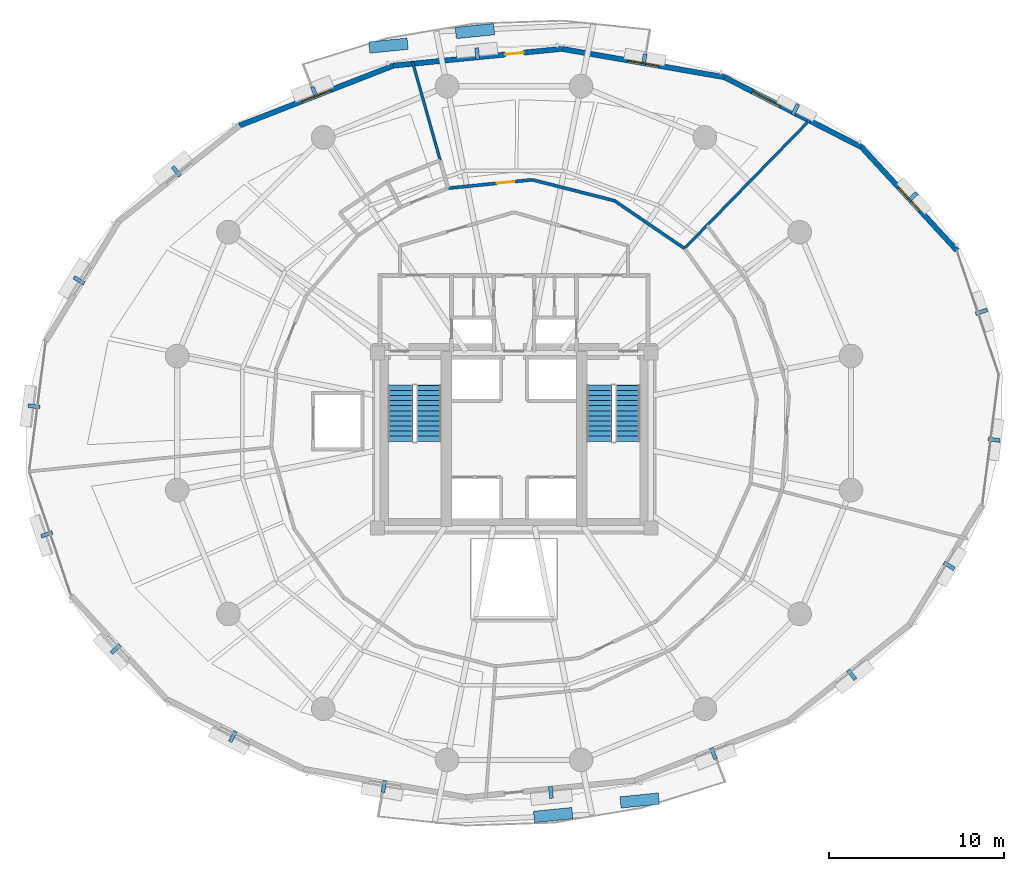
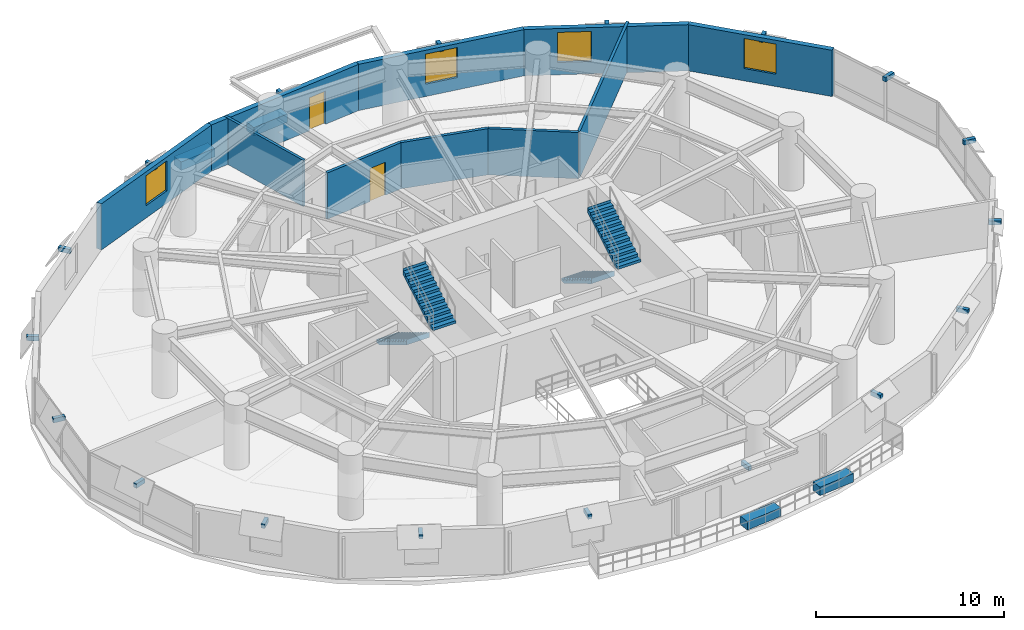
# One storey, part 14 of 17: 22 discrete accessories, 10 walls, 4 stair flights, 4 windows, 2 doors, 6 openings, 2 elements without a shape of their own.
"""IFC4 building model written with IfcOpenShell, lengths in metres."""

from ifc_helpers import new_model, si_unit, direction, frame, frame_2d, origin, origin_2d, place, context, subcontext, project, spatial, polyline, rectangle, outline, extrude, material, layer, layer_set, type_object, element, fill, aggregate, save


model = new_model("IFC4")

# Units and contexts
model_context = context("Model", 3, precision=1e-05, world=origin(), true_north=direction((0.0, 1.0)))
body_context = subcontext(model_context, "Body", "Model", "MODEL_VIEW")
ifc_project = project(units=[si_unit("LENGTHUNIT", "METRE"), si_unit("AREAUNIT", "SQUARE_METRE"), si_unit("VOLUMEUNIT", "CUBIC_METRE"), si_unit("PLANEANGLEUNIT", "RADIAN"), si_unit("MASSUNIT", "GRAM", prefix="KILO"), si_unit("THERMODYNAMICTEMPERATUREUNIT", "KELVIN"), si_unit("POWERUNIT", "WATT")], contexts=[model_context])

# Site, building, storey
site_placement = place(None, origin())
site = spatial("IfcSite", under=ifc_project, at=site_placement, CompositionType="ELEMENT")
building_placement = place(site_placement, origin())
building = spatial("IfcBuilding", under=site, at=building_placement, Name="Ocrelia Relay Tower", CompositionType="ELEMENT")
storey_placement = place(building_placement, frame((0.0, 0.0, 55.199951171875)))
storey = spatial("IfcBuildingStorey", under=building, at=storey_placement, Name="L12", CompositionType="ELEMENT", Elevation=55.199951171875)

# Walls
ifc_material_1 = material(Name="Gypsum Fireboard Partition EI60", Category="gypsum")
ifc_layer_1 = layer(ifc_material_1, 0.179931640625, Name="Gypsum Fireboard Partition EI60")
ifc_layer_set_1 = layer_set([ifc_layer_1], Name="Gypsum Fireboard Partition EI60")
wall_type_1 = type_object("IfcWallType", Name="W-CORR-EI60-180", PredefinedType="PARTITIONING", material=ifc_layer_set_1)
for number, where, z_axis, x_axis, name in (
    (1, (43.721923828125, 35.96240234375, 0.0), (0.0, 0.0, 1.0), (-0.826090560553, 0.563537386307, 0.0), "L12 Optical Calibration Studio Corridor Partition 1"),
    (2, (39.728271484375, 38.686767578125, 0.0), (0.0, 0.0, 1.0), (-0.969015246349, 0.247000915671, 0.0), "L12 Optical Calibration Studio Corridor Partition 2"),
):
    element("IfcWall", number, at=place(storey_placement, frame(where, z_axis=z_axis, x_axis=x_axis)), inside=storey, type_object=wall_type_1, Name=name, PredefinedType="PARTITIONING", context=body_context, shape_type="SweptSolid", body=[
        extrude(rectangle(XDim=4.83447265625, YDim=0.179931640625, at=frame_2d((2.417236328125, 0.0))), origin(), (0.0, 0.0, 1.0), 3.0),
    ])

# Wall, opening, door
wall_1_placement = place(storey_placement, frame((35.043701171875, 39.880859375, 0.0), z_axis=(0.0, 0.0, 1.0), x_axis=(-0.995054175725, -0.099333717197, 0.0)))
wall_1 = element("IfcWall", 3, at=wall_1_placement, inside=storey, type_object=wall_type_1, Name="L12 Optical Calibration Studio Corridor Partition 3", PredefinedType="PARTITIONING", context=body_context, shape_type="SweptSolid", body=[
    extrude(rectangle(XDim=4.83447265625, YDim=0.179931640625, at=frame_2d((2.417236328125, 0.0))), origin(), (0.0, 0.0, 1.0), 3.0),
])
opening_1_placement = place(wall_1_placement, frame((1.03369140625, 0.0, 0.0)))
opening_1 = element("IfcOpeningElement", 4, at=opening_1_placement, cuts=wall_1, Name="Opening D-RM100", PredefinedType="OPENING", context=body_context, shape_type="SweptSolid", body=[
    extrude(rectangle(XDim=1.0, YDim=2.14990234375, at=frame_2d((0.5, 1.074951171875))), frame((0.0, 0.10009765625, 0.0), z_axis=(0.0, -1.0, 0.0), x_axis=(1.0, 0.0, 0.0)), (0.0, 0.0, 1.0), 0.199951171875),
])
ifc_material_2 = material(Name="Acoustic oak veneer fire door", Category="wood")
door_type_1 = type_object("IfcDoorType", Name="DR-ROOM-FD60-1000", OperationType="NOTDEFINED", PredefinedType="DOOR", material=ifc_material_2)
door_1_placement = place(opening_1_placement, origin())
door_1 = element("IfcDoor", 5, at=door_1_placement, inside=storey, type_object=door_type_1, Name="L12 Optical Calibration Studio Entrance Door", OperationType="SINGLE_SWING_LEFT", OverallHeight=2.14990234375, OverallWidth=1.0, PredefinedType="DOOR", context=body_context, shape_type="SweptSolid", body=[
    extrude(rectangle(XDim=1.0, YDim=2.14990234375, at=frame_2d((0.5, 1.074951171875))), frame((0.0, 0.02490234375, 0.0), z_axis=(0.0, -1.0, 0.0), x_axis=(1.0, 0.0, 0.0)), (0.0, 0.0, 1.0), 0.050048828125),
])
fill(opening_1, door_1)

# Wall, opening, window
ifc_material_3 = material(Name="Precast concrete C40/50 with oxide terracotta", Category="masonry")
ifc_layer_2 = layer(ifc_material_3, 0.300048828125, Name="Precast concrete C40/50 with oxide terracotta")
ifc_layer_set_2 = layer_set([ifc_layer_2], Name="Precast concrete C40/50 with oxide terracotta")
wall_type_2 = type_object("IfcWallType", Name="W-EXT-TERR-300", PredefinedType="SOLIDWALL", material=ifc_layer_set_2)
wall_2_placement = place(storey_placement, frame((59.270751953125, 35.843505859375, 0.0), z_axis=(0.0, 0.0, 1.0), x_axis=(-0.678156213245, 0.734917784815, 0.0)))
wall_2 = element("IfcWall", 6, at=wall_2_placement, inside=storey, type_object=wall_type_2, Name="L12 Oxide Terracotta Facade Wall 02", PredefinedType="SOLIDWALL", context=body_context, shape_type="SweptSolid", body=[
    extrude(rectangle(XDim=8.021728515625, YDim=0.300048828125, at=frame_2d((4.0107421875, 0.0))), origin(), (0.0, 0.0, 1.0), 3.0),
])
opening_2_placement = place(wall_2_placement, frame((3.111083984375, 0.0, 0.800048828125)))
opening_2 = element("IfcOpeningElement", 7, at=opening_2_placement, cuts=wall_2, Name="Opening W-02", PredefinedType="OPENING", context=body_context, shape_type="SweptSolid", body=[
    extrude(rectangle(XDim=1.800048828125, YDim=1.949951171875, at=frame_2d((0.89990234375, 0.97509765625))), frame((0.0, 0.16015625, 0.0), z_axis=(0.0, -1.0, 0.0), x_axis=(1.0, 0.0, 0.0)), (0.0, 0.0, 1.0), 0.320068359375),
])
ifc_material_4 = material(Name="Clear double-glazed low-E glass", Category="glass")
window_type = type_object("IfcWindowType", Name="WIN-Z1-1800x2100", PartitioningType="DOUBLE_PANEL_VERTICAL", PredefinedType="WINDOW", material=ifc_material_4)
window_1_placement = place(opening_2_placement, origin())
window_1 = element("IfcWindow", 8, at=window_1_placement, inside=storey, type_object=window_type, Name="L12 Facade Module Window 02", OverallHeight=1.949951171875, OverallWidth=1.800048828125, PartitioningType="SINGLE_PANEL", PredefinedType="WINDOW", context=body_context, shape_type="SweptSolid", body=[
    extrude(rectangle(XDim=1.800048828125, YDim=1.949951171875, at=frame_2d((0.89990234375, 0.97509765625))), frame((0.0, 0.030029296875, 0.0), z_axis=(0.0, -1.0, 0.0), x_axis=(1.0, 0.0, 0.0)), (0.0, 0.0, 1.0), 0.06005859375),
])
fill(opening_2, window_1)

wall_3_placement = place(storey_placement, frame((53.830810546875, 41.73876953125, 0.0), z_axis=(0.0, 0.0, 1.0), x_axis=(-0.890709330384, 0.454573304063, 0.0)))
wall_3 = element("IfcWall", 9, at=wall_3_placement, inside=storey, type_object=wall_type_2, Name="L12 Oxide Terracotta Facade Wall 03", PredefinedType="SOLIDWALL", context=body_context, shape_type="SweptSolid", body=[
    extrude(rectangle(XDim=8.79248046875, YDim=0.300048828125, at=frame_2d((4.396240234375, 0.0))), origin(), (0.0, 0.0, 1.0), 3.0),
])
opening_3_placement = place(wall_3_placement, frame((5.201904296875, 0.0, 0.800048828125)))
opening_3 = element("IfcOpeningElement", 10, at=opening_3_placement, cuts=wall_3, Name="Opening W-02", PredefinedType="OPENING", context=body_context, shape_type="SweptSolid", body=[
    extrude(rectangle(XDim=1.800048828125, YDim=1.949951171875, at=frame_2d((0.89990234375, 0.97509765625))), frame((0.0, 0.16015625, 0.0), z_axis=(0.0, -1.0, 0.0), x_axis=(1.0, 0.0, 0.0)), (0.0, 0.0, 1.0), 0.320068359375),
])
window_2_placement = place(opening_3_placement, origin())
window_2 = element("IfcWindow", 11, at=window_2_placement, inside=storey, type_object=window_type, Name="L12 Facade Module Window 03", OverallHeight=1.949951171875, OverallWidth=1.800048828125, PartitioningType="SINGLE_PANEL", PredefinedType="WINDOW", context=body_context, shape_type="SweptSolid", body=[
    extrude(rectangle(XDim=1.800048828125, YDim=1.949951171875, at=frame_2d((0.89990234375, 0.97509765625))), frame((0.0, 0.030029296875, 0.0), z_axis=(0.0, -1.0, 0.0), x_axis=(1.0, 0.0, 0.0)), (0.0, 0.0, 1.0), 0.06005859375),
])
fill(opening_3, window_2)

wall_4_placement = place(storey_placement, frame((45.999267578125, 45.735595703125, 0.0), z_axis=(0.0, 0.0, 1.0), x_axis=(-0.985163203434, 0.171620111294, 0.0)))
wall_4 = element("IfcWall", 12, at=wall_4_placement, inside=storey, type_object=wall_type_2, Name="L12 Oxide Terracotta Facade Wall 04", PredefinedType="SOLIDWALL", context=body_context, shape_type="SweptSolid", body=[
    extrude(rectangle(XDim=9.418701171875, YDim=0.300048828125, at=frame_2d((4.70947265625, 0.0))), origin(), (0.0, 0.0, 1.0), 3.0),
])
opening_4_placement = place(wall_4_placement, frame((3.80908203125, 0.0, 0.800048828125)))
opening_4 = element("IfcOpeningElement", 13, at=opening_4_placement, cuts=wall_4, Name="Opening W-02", PredefinedType="OPENING", context=body_context, shape_type="SweptSolid", body=[
    extrude(rectangle(XDim=1.800048828125, YDim=1.949951171875, at=frame_2d((0.89990234375, 0.97509765625))), frame((0.0, 0.16015625, 0.0), z_axis=(0.0, -1.0, 0.0), x_axis=(1.0, 0.0, 0.0)), (0.0, 0.0, 1.0), 0.320068359375),
])
window_3_placement = place(opening_4_placement, origin())
window_3 = element("IfcWindow", 14, at=window_3_placement, inside=storey, type_object=window_type, Name="L12 Facade Module Window 04", OverallHeight=1.949951171875, OverallWidth=1.800048828125, PartitioningType="SINGLE_PANEL", PredefinedType="WINDOW", context=body_context, shape_type="SweptSolid", body=[
    extrude(rectangle(XDim=1.800048828125, YDim=1.949951171875, at=frame_2d((0.89990234375, 0.97509765625))), frame((0.0, 0.030029296875, 0.0), z_axis=(0.0, -1.0, 0.0), x_axis=(1.0, 0.0, 0.0)), (0.0, 0.0, 1.0), 0.06005859375),
])
fill(opening_4, window_3)

# Wall, opening, door
wall_5_placement = place(storey_placement, frame((36.72021484375, 47.35205078125, 0.0), z_axis=(0.0, 0.0, 1.0), x_axis=(-0.995057448988, -0.099300922522, 0.0)))
wall_5 = element("IfcWall", 15, at=wall_5_placement, inside=storey, type_object=wall_type_2, Name="L12 Oxide Terracotta Facade Wall 05", PredefinedType="SOLIDWALL", context=body_context, shape_type="SweptSolid", body=[
    extrude(rectangle(XDim=9.65478515625, YDim=0.300048828125, at=frame_2d((4.827392578125, 0.0))), origin(), (0.0, 0.0, 1.0), 3.0),
])
opening_5_placement = place(wall_5_placement, frame((2.18994140625, 0.0, 0.0)))
opening_5 = element("IfcOpeningElement", 16, at=opening_5_placement, cuts=wall_5, Name="Opening DB-105", PredefinedType="OPENING", context=body_context, shape_type="SweptSolid", body=[
    extrude(rectangle(XDim=1.050048828125, YDim=2.14990234375, at=frame_2d((0.52490234375, 1.074951171875))), frame((0.0, 0.16015625, 0.0), z_axis=(0.0, -1.0, 0.0), x_axis=(1.0, 0.0, 0.0)), (0.0, 0.0, 1.0), 0.320068359375),
])
ifc_material_5 = material(Name="Thermally broken aluminium and clear glass", Category="aluminium")
door_type_2 = type_object("IfcDoorType", Name="DR-BALC-1050", OperationType="NOTDEFINED", PredefinedType="DOOR", material=ifc_material_5)
door_2_placement = place(opening_5_placement, origin())
door_2 = element("IfcDoor", 17, at=door_2_placement, inside=storey, type_object=door_type_2, Name="L12 Planted Loggia Balcony Door B1", OperationType="SINGLE_SWING_LEFT", OverallHeight=2.14990234375, OverallWidth=1.050048828125, PredefinedType="DOOR", context=body_context, shape_type="SweptSolid", body=[
    extrude(rectangle(XDim=1.050048828125, YDim=2.14990234375, at=frame_2d((0.52490234375, 1.074951171875))), frame((0.0, 0.02490234375, 0.0), z_axis=(0.0, -1.0, 0.0), x_axis=(1.0, 0.0, 0.0)), (0.0, 0.0, 1.0), 0.050048828125),
])
fill(opening_5, door_2)

# Wall, opening, window
wall_6_placement = place(storey_placement, frame((27.113037109375, 46.393310546875, 0.0), z_axis=(0.0, 0.0, 1.0), x_axis=(-0.931801188997, -0.362969067807, 0.0)))
wall_6 = element("IfcWall", 18, at=wall_6_placement, inside=storey, type_object=wall_type_2, Name="L12 Oxide Terracotta Facade Wall 06", PredefinedType="SOLIDWALL", context=body_context, shape_type="SweptSolid", body=[
    extrude(rectangle(XDim=9.418701171875, YDim=0.300048828125, at=frame_2d((4.70947265625, 0.0))), origin(), (0.0, 0.0, 1.0), 3.0),
])
opening_6_placement = place(wall_6_placement, frame((3.80908203125, 0.0, 0.800048828125)))
opening_6 = element("IfcOpeningElement", 19, at=opening_6_placement, cuts=wall_6, Name="Opening W-02", PredefinedType="OPENING", context=body_context, shape_type="SweptSolid", body=[
    extrude(rectangle(XDim=1.800048828125, YDim=1.949951171875, at=frame_2d((0.89990234375, 0.97509765625))), frame((0.0, 0.16015625, 0.0), z_axis=(0.0, -1.0, 0.0), x_axis=(1.0, 0.0, 0.0)), (0.0, 0.0, 1.0), 0.320068359375),
])
window_4_placement = place(opening_6_placement, origin())
window_4 = element("IfcWindow", 20, at=window_4_placement, inside=storey, type_object=window_type, Name="L12 Facade Module Window 06", OverallHeight=1.949951171875, OverallWidth=1.800048828125, PartitioningType="SINGLE_PANEL", PredefinedType="WINDOW", context=body_context, shape_type="SweptSolid", body=[
    extrude(rectangle(XDim=1.800048828125, YDim=1.949951171875, at=frame_2d((0.89990234375, 0.97509765625))), frame((0.0, 0.030029296875, 0.0), z_axis=(0.0, -1.0, 0.0), x_axis=(1.0, 0.0, 0.0)), (0.0, 0.0, 1.0), 0.06005859375),
])
fill(opening_6, window_4)

# Walls
ifc_material_6 = material(Name="Acoustic Fireboard Partition EI60", Category="gypsum")
ifc_layer_3 = layer(ifc_material_6, 0.159912109375, Name="Acoustic Fireboard Partition EI60")
ifc_layer_set_3 = layer_set([ifc_layer_3], Name="Acoustic Fireboard Partition EI60")
wall_type_3 = type_object("IfcWallType", Name="W-PART-160", PredefinedType="PARTITIONING", material=ifc_layer_set_3)
wall_7_placement = place(storey_placement, frame((29.786865234375, 40.989013671875, 0.0), z_axis=(0.0, 0.0, 1.0), x_axis=(-0.270616567717, 0.962687214664, 0.0)))
element("IfcWall", 21, at=wall_7_placement, inside=storey, type_object=wall_type_3, Name="L12 Carrier Briefing Room Radial Partition", PredefinedType="PARTITIONING", context=body_context, shape_type="SweptSolid", body=[
    extrude(rectangle(XDim=5.864013671875, YDim=0.159912109375, at=frame_2d((2.93212890625, 0.0))), origin(), (0.0, 0.0, 1.0), 3.0),
])
wall_8_placement = place(storey_placement, frame((43.721923828125, 35.96240234375, 0.0), z_axis=(0.0, 0.0, 1.0), x_axis=(0.698422740354, 0.715685458673, 0.0)))
element("IfcWall", 22, at=wall_8_placement, inside=storey, type_object=wall_type_3, Name="L12 Training Seminar Room Radial Partition", PredefinedType="PARTITIONING", context=body_context, shape_type="SweptSolid", body=[
    extrude(rectangle(XDim=10.550537109375, YDim=0.159912109375, at=frame_2d((5.275390625, 0.0))), origin(), (0.0, 0.0, 1.0), 3.0),
])

# Stair, stair flights
ifc_material_7 = material(Name="Concrete C50/60", Category="concrete")
stair_type = type_object("IfcStairType", Name="ST-DL-1420-R175", PredefinedType="HALF_TURN_STAIR", material=ifc_material_7)
stair_1_placement = place(storey_placement, origin())
stair_1 = element("IfcStair", 23, at=stair_1_placement, inside=storey, type_object=stair_type, Name="L12 West Core Exit Stair ST1", PredefinedType="HALF_TURN_STAIR")
stair_flight_type = type_object("IfcStairFlightType", Name="STF-DL-1420-R175", PredefinedType="STRAIGHT", material=ifc_material_7)
stair_flight_1_placement = place(storey_placement, frame((27.52001953125, 28.14990234375, 0.0), z_axis=(0.0, 0.0, 1.0), x_axis=(0.0, -1.0, 0.0)))
stair_flight_1 = element("IfcStairFlight", 24, at=stair_flight_1_placement, type_object=stair_flight_type, Name="ST1 flight 1", NumberOfRisers=12, NumberOfTreads=11, PredefinedType="STRAIGHT", RiserHeight=0.175, TreadLength=0.29, context=body_context, shape_type="SweptSolid", body=[
    extrude(outline(polyline([(-0.008056640625, 0.0), (-0.008056640625, 0.175048828125), (0.0, 0.175048828125), (0.2900390625, 0.175048828125), (0.2900390625, 0.35009765625), (0.580078125, 0.35009765625), (0.580078125, 0.52490234375), (0.8701171875, 0.52490234375), (0.8701171875, 0.699951171875), (1.159912109375, 0.699951171875), (1.159912109375, 0.875), (1.449951171875, 0.875), (1.449951171875, 1.050048828125), (1.739990234375, 1.050048828125), (1.739990234375, 1.22509765625), (2.030029296875, 1.22509765625), (2.030029296875, 1.39990234375), (2.320068359375, 1.39990234375), (2.320068359375, 1.574951171875), (2.610107421875, 1.574951171875), (2.610107421875, 1.75), (2.89990234375, 1.75), (2.89990234375, 1.925048828125), (3.18994140625, 1.925048828125), (3.18994140625, 2.10009765625), (3.197998046875, 2.10009765625), (3.197998046875, 1.75), (0.2900390625, 0.0), (-0.008056640625, 0.0)])), frame((0.0, 0.7099609375, 0.0), z_axis=(0.0, -1.0, 0.0), x_axis=(1.0, 0.0, 0.0)), (0.0, 0.0, 1.0), 1.419921875),
])
stair_flight_2_placement = place(storey_placement, frame((29.139892578125, 24.9599609375, 2.10009765625), z_axis=(0.0, 0.0, 1.0), x_axis=(0.0, 1.0, 0.0)))
stair_flight_2 = element("IfcStairFlight", 25, at=stair_flight_2_placement, type_object=stair_flight_type, Name="ST1 flight 2", NumberOfRisers=12, NumberOfTreads=11, PredefinedType="STRAIGHT", RiserHeight=0.175, TreadLength=0.29, context=body_context, shape_type="SweptSolid", body=[
    extrude(outline(polyline([(-0.008056640625, 0.0), (-0.008056640625, 0.175048828125), (0.0, 0.175048828125), (0.2900390625, 0.175048828125), (0.2900390625, 0.35009765625), (0.580078125, 0.35009765625), (0.580078125, 0.52490234375), (0.8701171875, 0.52490234375), (0.8701171875, 0.699951171875), (1.159912109375, 0.699951171875), (1.159912109375, 0.875), (1.449951171875, 0.875), (1.449951171875, 1.050048828125), (1.739990234375, 1.050048828125), (1.739990234375, 1.22509765625), (2.030029296875, 1.22509765625), (2.030029296875, 1.39990234375), (2.320068359375, 1.39990234375), (2.320068359375, 1.574951171875), (2.610107421875, 1.574951171875), (2.610107421875, 1.75), (2.89990234375, 1.75), (2.89990234375, 1.925048828125), (3.18994140625, 1.925048828125), (3.18994140625, 2.10009765625), (3.197998046875, 2.10009765625), (3.197998046875, 1.75), (0.2900390625, 0.0), (-0.008056640625, 0.0)])), frame((0.0, 0.7099609375, 0.0), z_axis=(0.0, -1.0, 0.0), x_axis=(1.0, 0.0, 0.0)), (0.0, 0.0, 1.0), 1.419921875),
])
aggregate(stair_1, [stair_flight_1, stair_flight_2])

stair_2_placement = place(storey_placement, origin())
stair_2 = element("IfcStair", 26, at=stair_2_placement, inside=storey, type_object=stair_type, Name="L12 East Core Exit Stair ST2", PredefinedType="HALF_TURN_STAIR")
stair_flight_3_placement = place(storey_placement, frame((38.8701171875, 28.14990234375, 0.0), z_axis=(0.0, 0.0, 1.0), x_axis=(0.0, -1.0, 0.0)))
stair_flight_3 = element("IfcStairFlight", 27, at=stair_flight_3_placement, type_object=stair_flight_type, Name="ST2 flight 1", NumberOfRisers=12, NumberOfTreads=11, PredefinedType="STRAIGHT", RiserHeight=0.175, TreadLength=0.29, context=body_context, shape_type="SweptSolid", body=[
    extrude(outline(polyline([(-0.008056640625, 0.0), (-0.008056640625, 0.175048828125), (0.0, 0.175048828125), (0.2900390625, 0.175048828125), (0.2900390625, 0.35009765625), (0.580078125, 0.35009765625), (0.580078125, 0.52490234375), (0.8701171875, 0.52490234375), (0.8701171875, 0.699951171875), (1.159912109375, 0.699951171875), (1.159912109375, 0.875), (1.449951171875, 0.875), (1.449951171875, 1.050048828125), (1.739990234375, 1.050048828125), (1.739990234375, 1.22509765625), (2.030029296875, 1.22509765625), (2.030029296875, 1.39990234375), (2.320068359375, 1.39990234375), (2.320068359375, 1.574951171875), (2.610107421875, 1.574951171875), (2.610107421875, 1.75), (2.89990234375, 1.75), (2.89990234375, 1.925048828125), (3.18994140625, 1.925048828125), (3.18994140625, 2.10009765625), (3.197998046875, 2.10009765625), (3.197998046875, 1.75), (0.2900390625, 0.0), (-0.008056640625, 0.0)])), frame((0.0, 0.7099609375, 0.0), z_axis=(0.0, -1.0, 0.0), x_axis=(1.0, 0.0, 0.0)), (0.0, 0.0, 1.0), 1.419921875),
])
stair_flight_4_placement = place(storey_placement, frame((40.489990234375, 24.9599609375, 2.10009765625), z_axis=(0.0, 0.0, 1.0), x_axis=(0.0, 1.0, 0.0)))
stair_flight_4 = element("IfcStairFlight", 28, at=stair_flight_4_placement, type_object=stair_flight_type, Name="ST2 flight 2", NumberOfRisers=12, NumberOfTreads=11, PredefinedType="STRAIGHT", RiserHeight=0.175, TreadLength=0.29, context=body_context, shape_type="SweptSolid", body=[
    extrude(outline(polyline([(-0.008056640625, 0.0), (-0.008056640625, 0.175048828125), (0.0, 0.175048828125), (0.2900390625, 0.175048828125), (0.2900390625, 0.35009765625), (0.580078125, 0.35009765625), (0.580078125, 0.52490234375), (0.8701171875, 0.52490234375), (0.8701171875, 0.699951171875), (1.159912109375, 0.699951171875), (1.159912109375, 0.875), (1.449951171875, 0.875), (1.449951171875, 1.050048828125), (1.739990234375, 1.050048828125), (1.739990234375, 1.22509765625), (2.030029296875, 1.22509765625), (2.030029296875, 1.39990234375), (2.320068359375, 1.39990234375), (2.320068359375, 1.574951171875), (2.610107421875, 1.574951171875), (2.610107421875, 1.75), (2.89990234375, 1.75), (2.89990234375, 1.925048828125), (3.18994140625, 1.925048828125), (3.18994140625, 2.10009765625), (3.197998046875, 2.10009765625), (3.197998046875, 1.75), (0.2900390625, 0.0), (-0.008056640625, 0.0)])), frame((0.0, 0.7099609375, 0.0), z_axis=(0.0, -1.0, 0.0), x_axis=(1.0, 0.0, 0.0)), (0.0, 0.0, 1.0), 1.419921875),
])
aggregate(stair_2, [stair_flight_3, stair_flight_4])

# Discrete accessories
ifc_material_8 = material(Name="Precast concrete C40/50 planter with highland greenery", Category="concrete")
discrete_accessory_type_1 = type_object("IfcDiscreteAccessoryType", Name="ACC-BALC-PLANTER", PredefinedType="USERDEFINED", material=ifc_material_8)
for number, where, z_axis, x_axis, name in (
    (29, (31.767578125, 48.3662109375, 0.0), (0.0, 0.0, 1.0), (0.995055198164, 0.099323474599, 0.0), "L12 Balcony Terracotta Planter with Greenery B1"),
    (30, (26.831787109375, 47.53662109375, 0.0), (0.0, 0.0, 1.0), (0.995055198164, 0.099323474599, 0.0), "L12 Balcony Terracotta Planter B1-2"),
    (31, (36.232421875, 3.6337890625, 0.0), (0.0, 0.0, 1.0), (-0.995055198164, -0.099323474599, 0.0), "L12 Balcony Terracotta Planter with Greenery B2"),
    (32, (41.168212890625, 4.46337890625, 0.0), (0.0, 0.0, 1.0), (-0.995055198164, -0.099323474599, 0.0), "L12 Balcony Terracotta Planter B2-2"),
):
    element("IfcDiscreteAccessory", number, at=place(storey_placement, frame(where, z_axis=z_axis, x_axis=x_axis)), inside=storey, type_object=discrete_accessory_type_1, Name=name, ObjectType="PLANTER", PredefinedType="USERDEFINED", context=body_context, shape_type="SweptSolid", body=[
        extrude(rectangle(XDim=2.199951171875, YDim=0.64990234375, at=origin_2d()), origin(), (0.0, 0.0, 1.0), 0.550048828125),
    ])
ifc_material_9 = material(Name="Steel S355", Category="steel")
discrete_accessory_type_2 = type_object("IfcDiscreteAccessoryType", Name="ACC-VISOR-BRACKET", PredefinedType="BRACKET", material=ifc_material_9)
for number, where, z_axis, x_axis, name in (
    (33, (60.6611328125, 32.3486328125, 2.7001953125), (0.0, 0.0, 1.0), (-0.319953522402, 0.947433239602, 0.0), "L12 Visor Mounting Bracket 01"),
    (34, (56.724853515625, 38.889892578125, 2.7001953125), (0.0, 0.0, 1.0), (-0.678150648108, 0.734922920088, 0.0), "L12 Visor Mounting Bracket 02"),
    (35, (50.048583984375, 43.885986328125, 2.7001953125), (0.0, 0.0, 1.0), (-0.890709621083, 0.454572734456, 0.0), "L12 Visor Mounting Bracket 03"),
    (36, (41.42724609375, 46.732177734375, 2.7001953125), (0.0, 0.0, 1.0), (-0.985164027211, 0.171615382436, 0.0), "L12 Visor Mounting Bracket 04"),
    (37, (31.896728515625, 47.07177734375, 2.7001953125), (0.0, 0.0, 1.0), (-0.995055734364, -0.099318102623, 0.0), "L12 Visor Mounting Bracket 05"),
    (38, (22.62158203125, 44.85498046875, 2.7001953125), (0.0, 0.0, 1.0), (-0.93180667955, -0.362954972338, 0.0), "L12 Visor Mounting Bracket 06"),
    (39, (14.732666015625, 40.361083984375, 2.7001953125), (0.0, 0.0, 1.0), (-0.783290661146, -0.621655644358, 0.0), "L12 Visor Mounting Bracket 07"),
    (40, (9.17578125, 34.143798828125, 2.7001953125), (0.0, 0.0, 1.0), (-0.51949918611, -0.854470944872, 0.0), "L12 Visor Mounting Bracket 08"),
    (41, (6.610107421875, 26.95361328125, 2.7001953125), (0.0, 0.0, 1.0), (-0.126373950742, -0.991982673525, 0.0), "L12 Visor Mounting Bracket 09"),
    (42, (7.3388671875, 19.6513671875, 2.7001953125), (0.0, 0.0, 1.0), (0.319953522402, -0.947433239602, 0.0), "L12 Visor Mounting Bracket 10"),
    (43, (11.275146484375, 13.110107421875, 2.7001953125), (0.0, 0.0, 1.0), (0.678150648108, -0.734922920088, 0.0), "L12 Visor Mounting Bracket 11"),
    (44, (17.951416015625, 8.114013671875, 2.7001953125), (0.0, 0.0, 1.0), (0.890709621083, -0.454572734456, 0.0), "L12 Visor Mounting Bracket 12"),
    (45, (26.57275390625, 5.267822265625, 2.7001953125), (0.0, 0.0, 1.0), (0.985164027211, -0.171615382436, 0.0), "L12 Visor Mounting Bracket 13"),
    (46, (36.103271484375, 4.92822265625, 2.7001953125), (0.0, 0.0, 1.0), (0.995055734364, 0.099318102623, 0.0), "L12 Visor Mounting Bracket 14"),
    (47, (45.37841796875, 7.14501953125, 2.7001953125), (0.0, 0.0, 1.0), (0.93180667955, 0.362954972338, 0.0), "L12 Visor Mounting Bracket 15"),
    (48, (53.267333984375, 11.638916015625, 2.7001953125), (0.0, 0.0, 1.0), (0.783290661146, 0.621655644358, 0.0), "L12 Visor Mounting Bracket 16"),
    (49, (58.82421875, 17.856201171875, 2.7001953125), (0.0, 0.0, 1.0), (0.51949918611, 0.854470944872, 0.0), "L12 Visor Mounting Bracket 17"),
    (50, (61.389892578125, 25.04638671875, 2.7001953125), (0.0, 0.0, 1.0), (0.126373950742, 0.991982673525, 0.0), "L12 Visor Mounting Bracket 18"),
):
    element("IfcDiscreteAccessory", number, at=place(storey_placement, frame(where, z_axis=z_axis, x_axis=x_axis)), inside=storey, type_object=discrete_accessory_type_2, Name=name, PredefinedType="BRACKET", context=body_context, shape_type="SweptSolid", body=[
        extrude(rectangle(XDim=0.219970703125, YDim=0.679931640625, at=origin_2d()), origin(), (0.0, 0.0, 1.0), 0.280029296875),
    ])

save(model, "model.ifc")
